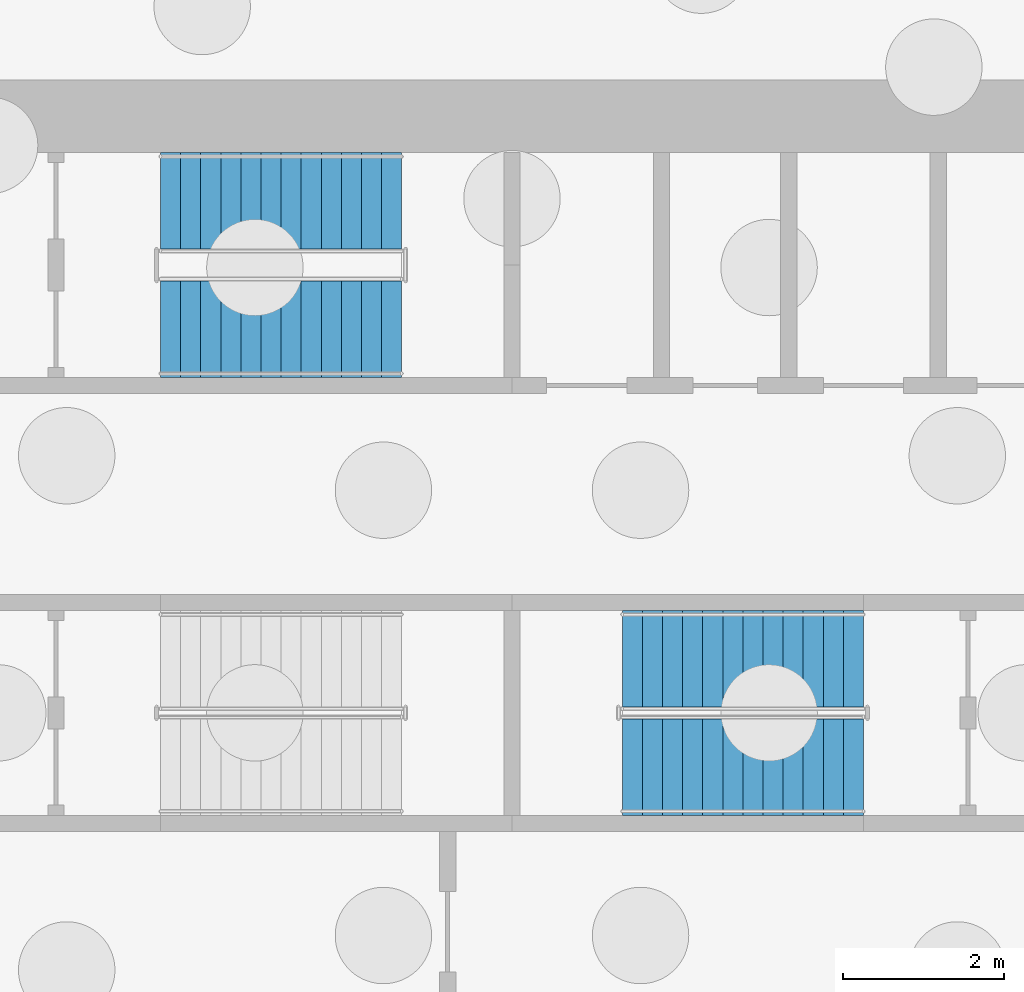
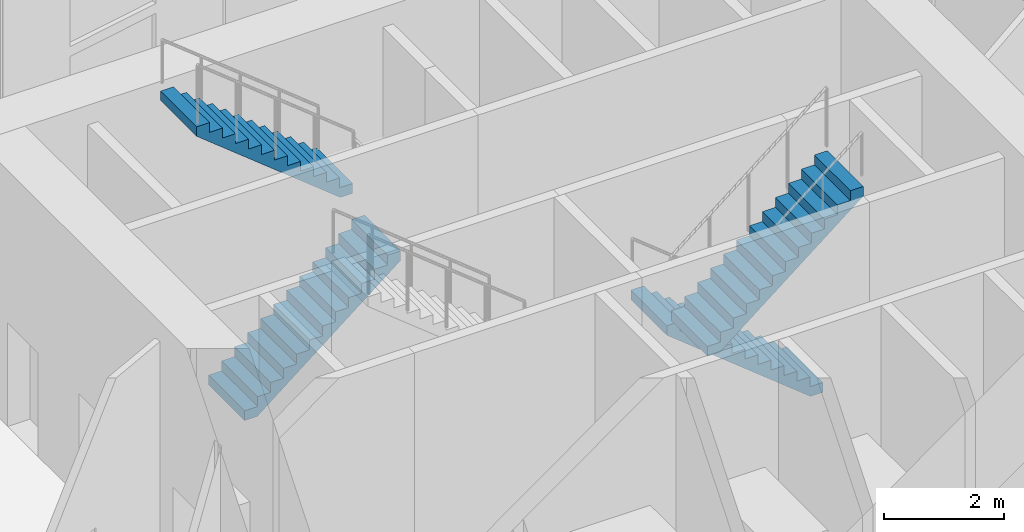
# One storey, part 8 of 10: 4 stair flights, 2 elements without a shape of their own.
"""IFC4 building model written with IfcOpenShell, lengths in metres."""

from ifc_helpers import new_model, si_unit, direction, frame, origin, place, context, subcontext, project, spatial, polyline, outline, extrude, material, type_object, element, aggregate, save


model = new_model("IFC4")

# Units and contexts
model_context = context("Model", 3, precision=1e-05, world=origin(), true_north=direction((0.0, 1.0)))
body_context = subcontext(model_context, "Body", "Model", "MODEL_VIEW")
ifc_project = project(units=[si_unit("LENGTHUNIT", "METRE"), si_unit("AREAUNIT", "SQUARE_METRE"), si_unit("VOLUMEUNIT", "CUBIC_METRE"), si_unit("PLANEANGLEUNIT", "RADIAN"), si_unit("MASSUNIT", "GRAM", prefix="KILO")], contexts=[model_context])

# Site, building, storey
site_placement = place(None, origin())
site = spatial("IfcSite", under=ifc_project, at=site_placement, CompositionType="ELEMENT")
building_placement = place(site_placement, origin())
building = spatial("IfcBuilding", under=site, at=building_placement, Name="Polderwave Tower", CompositionType="ELEMENT")
storey_placement = place(building_placement, origin())
storey = spatial("IfcBuildingStorey", under=building, at=storey_placement, Name="L00", CompositionType="ELEMENT", Elevation=0.0)

# Stair, stair flights
ifc_material = material(Name="Concrete C40/50", Category="concrete")
stair_type = type_object("IfcStairType", Name="Exit stair 1200 x 26 risers", PredefinedType="HALF_TURN_STAIR", material=ifc_material)
stair_1_placement = place(storey_placement, origin())
stair_1 = element("IfcStair", 1, at=stair_1_placement, inside=storey, type_object=stair_type, Name="L00 Exit stair B", PredefinedType="HALF_TURN_STAIR")
stair_flight_type = type_object("IfcStairFlightType", Name="Stair flight 1200", PredefinedType="STRAIGHT", material=ifc_material)
stair_flight_1_placement = place(storey_placement, frame((4.3740234375, 0.675048828125, 0.0), z_axis=(0.0, 0.0, 1.0), x_axis=(-1.0, 0.0, 0.0)))
stair_flight_1 = element("IfcStairFlight", 2, at=stair_flight_1_placement, type_object=stair_flight_type, Name="ST-B flight 1", NumberOfRisers=13, NumberOfTreads=12, PredefinedType="STRAIGHT", RiserHeight=0.2, TreadLength=0.25, context=body_context, shape_type="SweptSolid", body=[
    extrude(outline(polyline([(0.0, 0.0), (0.0, 0.199951171875), (0.25, 0.199951171875), (0.25, 0.39990234375), (0.5, 0.39990234375), (0.5, 0.60009765625), (0.75, 0.60009765625), (0.75, 0.800048828125), (1.0, 0.800048828125), (1.0, 1.0), (1.25, 1.0), (1.25, 1.199951171875), (1.5, 1.199951171875), (1.5, 1.39990234375), (1.75, 1.39990234375), (1.75, 1.60009765625), (2.0, 1.60009765625), (2.0, 1.800048828125), (2.25, 1.800048828125), (2.25, 2.0), (2.5, 2.0), (2.5, 2.199951171875), (2.75, 2.199951171875), (2.75, 2.39990234375), (3.0, 2.39990234375), (3.0, 2.60009765625), (3.0, 2.2080078125), (0.239990234375, 0.0), (0.0, 0.0)])), frame((0.0, 0.60009765625, 0.0), z_axis=(0.0, -1.0, 0.0), x_axis=(1.0, 0.0, 0.0)), (0.0, 0.0, 1.0), 1.199951171875),
])
stair_flight_2_placement = place(storey_placement, frame((1.3740234375, -0.675048828125, 2.60009765625), z_axis=(0.0, 0.0, 1.0), x_axis=(1.0, 0.0, 0.0)))
stair_flight_2 = element("IfcStairFlight", 3, at=stair_flight_2_placement, type_object=stair_flight_type, Name="ST-B flight 2", NumberOfRisers=13, NumberOfTreads=12, PredefinedType="STRAIGHT", RiserHeight=0.2, TreadLength=0.25, context=body_context, shape_type="SweptSolid", body=[
    extrude(outline(polyline([(0.0, 0.0), (0.0, 0.199951171875), (0.25, 0.199951171875), (0.25, 0.39990234375), (0.5, 0.39990234375), (0.5, 0.60009765625), (0.75, 0.60009765625), (0.75, 0.800048828125), (1.0, 0.800048828125), (1.0, 1.0), (1.25, 1.0), (1.25, 1.199951171875), (1.5, 1.199951171875), (1.5, 1.39990234375), (1.75, 1.39990234375), (1.75, 1.60009765625), (2.0, 1.60009765625), (2.0, 1.800048828125), (2.25, 1.800048828125), (2.25, 2.0), (2.5, 2.0), (2.5, 2.199951171875), (2.75, 2.199951171875), (2.75, 2.39990234375), (3.0, 2.39990234375), (3.0, 2.60009765625), (3.0, 2.2080078125), (0.239990234375, 0.0), (0.0, 0.0)])), frame((0.0, 0.60009765625, 0.0), z_axis=(0.0, -1.0, 0.0), x_axis=(1.0, 0.0, 0.0)), (0.0, 0.0, 1.0), 1.199951171875),
])
aggregate(stair_1, [stair_flight_1, stair_flight_2])

stair_2_placement = place(storey_placement, origin())
stair_2 = element("IfcStair", 4, at=stair_2_placement, inside=storey, type_object=stair_type, Name="L00 Exit stair C", PredefinedType="HALF_TURN_STAIR")
stair_flight_3_placement = place(storey_placement, frame((-4.3740234375, 4.77392578125, 0.0), z_axis=(0.0, 0.0, 1.0), x_axis=(1.0, 0.0, 0.0)))
stair_flight_3 = element("IfcStairFlight", 5, at=stair_flight_3_placement, type_object=stair_flight_type, Name="ST-C flight 1", NumberOfRisers=13, NumberOfTreads=12, PredefinedType="STRAIGHT", RiserHeight=0.2, TreadLength=0.25, context=body_context, shape_type="SweptSolid", body=[
    extrude(outline(polyline([(0.0, 0.0), (0.0, 0.199951171875), (0.25, 0.199951171875), (0.25, 0.39990234375), (0.5, 0.39990234375), (0.5, 0.60009765625), (0.75, 0.60009765625), (0.75, 0.800048828125), (1.0, 0.800048828125), (1.0, 1.0), (1.25, 1.0), (1.25, 1.199951171875), (1.5, 1.199951171875), (1.5, 1.39990234375), (1.75, 1.39990234375), (1.75, 1.60009765625), (2.0, 1.60009765625), (2.0, 1.800048828125), (2.25, 1.800048828125), (2.25, 2.0), (2.5, 2.0), (2.5, 2.199951171875), (2.75, 2.199951171875), (2.75, 2.39990234375), (3.0, 2.39990234375), (3.0, 2.60009765625), (3.0, 2.2080078125), (0.239990234375, 0.0), (0.0, 0.0)])), frame((0.0, 0.60009765625, 0.0), z_axis=(0.0, -1.0, 0.0), x_axis=(1.0, 0.0, 0.0)), (0.0, 0.0, 1.0), 1.199951171875),
])
stair_flight_4_placement = place(storey_placement, frame((-1.3740234375, 6.3740234375, 2.60009765625), z_axis=(0.0, 0.0, 1.0), x_axis=(-1.0, 0.0, 0.0)))
stair_flight_4 = element("IfcStairFlight", 6, at=stair_flight_4_placement, type_object=stair_flight_type, Name="ST-C flight 2", NumberOfRisers=13, NumberOfTreads=12, PredefinedType="STRAIGHT", RiserHeight=0.2, TreadLength=0.25, context=body_context, shape_type="SweptSolid", body=[
    extrude(outline(polyline([(0.0, 0.0), (0.0, 0.199951171875), (0.25, 0.199951171875), (0.25, 0.39990234375), (0.5, 0.39990234375), (0.5, 0.60009765625), (0.75, 0.60009765625), (0.75, 0.800048828125), (1.0, 0.800048828125), (1.0, 1.0), (1.25, 1.0), (1.25, 1.199951171875), (1.5, 1.199951171875), (1.5, 1.39990234375), (1.75, 1.39990234375), (1.75, 1.60009765625), (2.0, 1.60009765625), (2.0, 1.800048828125), (2.25, 1.800048828125), (2.25, 2.0), (2.5, 2.0), (2.5, 2.199951171875), (2.75, 2.199951171875), (2.75, 2.39990234375), (3.0, 2.39990234375), (3.0, 2.60009765625), (3.0, 2.2080078125), (0.239990234375, 0.0), (0.0, 0.0)])), frame((0.0, 0.60009765625, 0.0), z_axis=(0.0, -1.0, 0.0), x_axis=(1.0, 0.0, 0.0)), (0.0, 0.0, 1.0), 1.199951171875),
])
aggregate(stair_2, [stair_flight_3, stair_flight_4])

save(model, "model.ifc")
